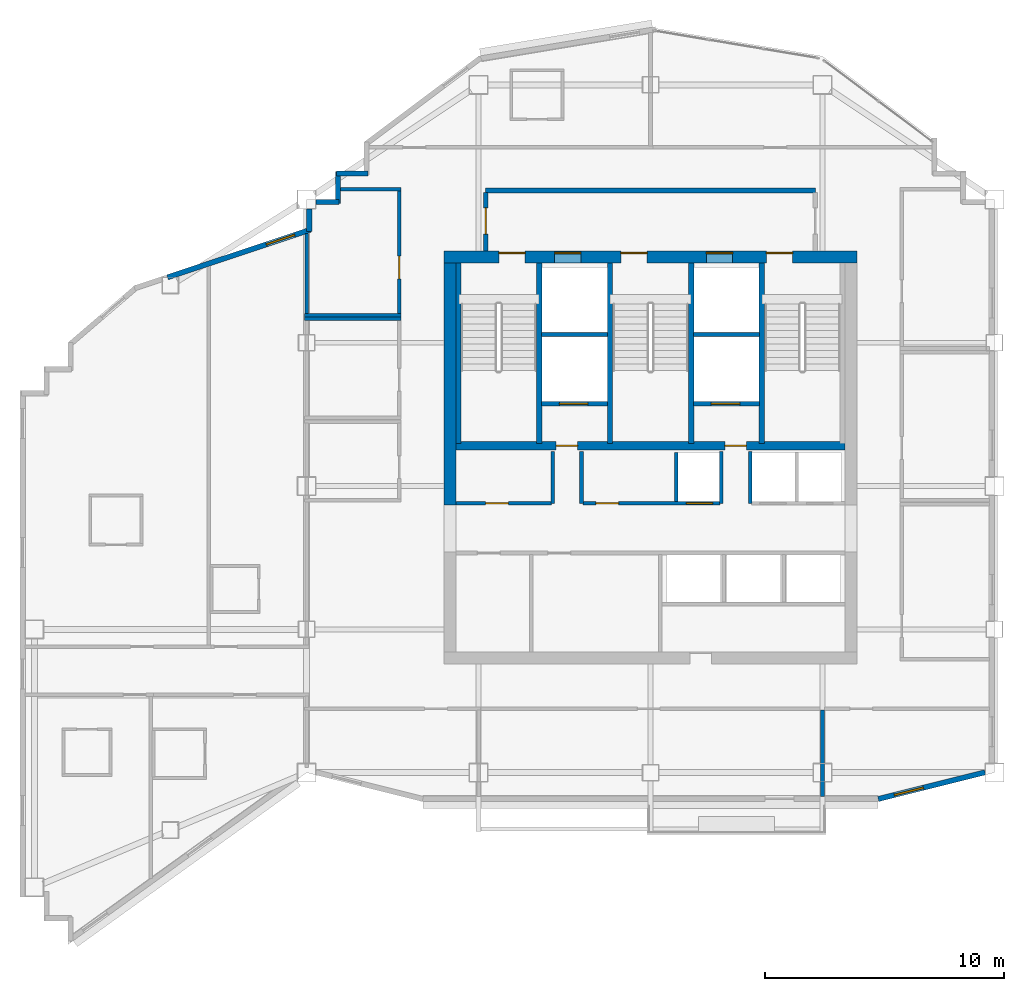
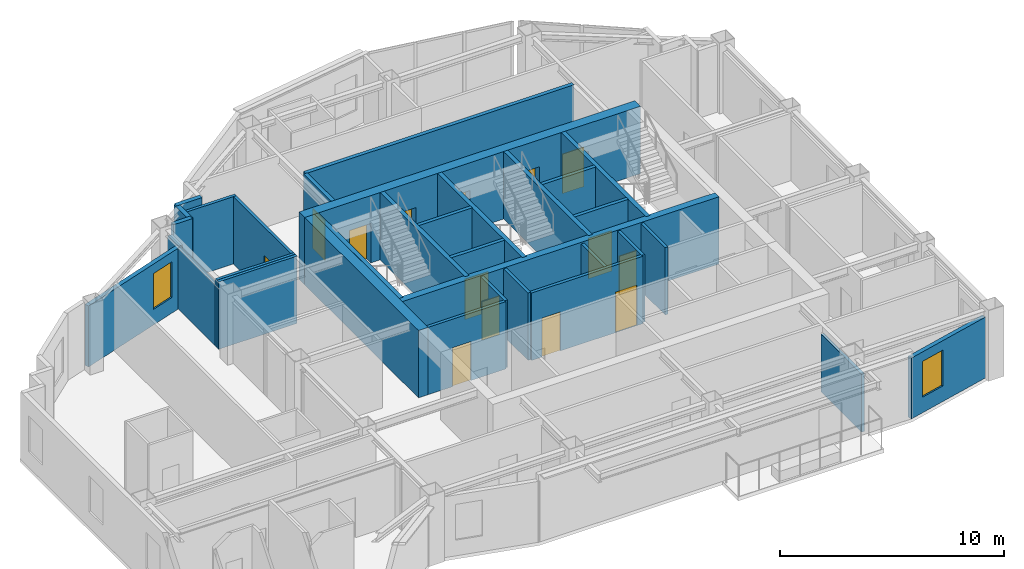
# One storey, part 6 of 10: 33 walls, 14 doors, 2 windows, 16 openings.
"""IFC4 building model written with IfcOpenShell, lengths in metres."""

from ifc_helpers import new_model, si_unit, direction, frame, frame_2d, origin, place, context, subcontext, project, spatial, rectangle, extrude, material, layer, layer_set, type_object, element, fill, save


model = new_model("IFC4")

# Units and contexts
model_context = context("Model", 3, precision=1e-05, world=origin(), true_north=direction((0.0, 1.0)))
body_context = subcontext(model_context, "Body", "Model", "MODEL_VIEW")
ifc_project = project(units=[si_unit("LENGTHUNIT", "METRE"), si_unit("AREAUNIT", "SQUARE_METRE"), si_unit("VOLUMEUNIT", "CUBIC_METRE"), si_unit("PLANEANGLEUNIT", "RADIAN"), si_unit("MASSUNIT", "GRAM", prefix="KILO")], contexts=[model_context])

# Site, building, storey
site_placement = place(None, origin())
site = spatial("IfcSite", under=ifc_project, at=site_placement, CompositionType="ELEMENT")
building_placement = place(site_placement, origin())
building = spatial("IfcBuilding", under=site, at=building_placement, Name="Haolan Belvedere Tower", CompositionType="ELEMENT")
storey_placement = place(building_placement, frame((0.0, 0.0, 246.75)))
storey = spatial("IfcBuildingStorey", under=building, at=storey_placement, Name="L62", CompositionType="ELEMENT", Elevation=246.75)

# Wall, openings, doors
ifc_material_1 = material(Name="Concrete C50/60", Category="concrete")
ifc_layer_1 = layer(ifc_material_1, 0.5, Name="Concrete C50/60")
ifc_layer_set_1 = layer_set([ifc_layer_1], Name="Concrete C50/60")
wall_type_1 = type_object("IfcWallType", Name="WL-CORE-500", PredefinedType="SHEAR", material=ifc_layer_set_1)
wall_1_placement = place(storey_placement, frame((29.75, 43.199951171875, 0.0), z_axis=(0.0, 0.0, 1.0), x_axis=(1.0, 0.0, 0.0)))
wall_1 = element("IfcWall", 1, at=wall_1_placement, inside=storey, type_object=wall_type_1, Name="L62 central core north shear wall", PredefinedType="SHEAR", context=body_context, shape_type="SweptSolid", body=[
    extrude(rectangle(XDim=17.300048828125, YDim=0.5, at=frame_2d((8.64990234375, 0.0))), origin(), (0.0, 0.0, 1.0), 3.669921875),
])
opening_1_placement = place(wall_1_placement, frame((2.300048828125, 0.0, 0.0)))
opening_1 = element("IfcOpeningElement", 2, at=opening_1_placement, cuts=wall_1, Name="Opening FD-03", PredefinedType="OPENING", context=body_context, shape_type="SweptSolid", body=[
    extrude(rectangle(XDim=1.10009765625, YDim=2.14990234375, at=frame_2d((0.550048828125, 1.074951171875))), frame((0.0, 0.260009765625, 0.0), z_axis=(0.0, -1.0, 0.0), x_axis=(1.0, 0.0, 0.0)), (0.0, 0.0, 1.0), 0.52001953125),
])
opening_2_placement = place(wall_1_placement, frame((7.409912109375, 0.0, 0.0)))
opening_2 = element("IfcOpeningElement", 3, at=opening_2_placement, cuts=wall_1, Name="Opening FD-03", PredefinedType="OPENING", context=body_context, shape_type="SweptSolid", body=[
    extrude(rectangle(XDim=1.10009765625, YDim=2.14990234375, at=frame_2d((0.550048828125, 1.074951171875))), frame((0.0, 0.260009765625, 0.0), z_axis=(0.0, -1.0, 0.0), x_axis=(1.0, 0.0, 0.0)), (0.0, 0.0, 1.0), 0.52001953125),
])
opening_3_placement = place(wall_1_placement, frame((13.5, 0.0, 0.0)))
opening_3 = element("IfcOpeningElement", 4, at=opening_3_placement, cuts=wall_1, Name="Opening FD-03", PredefinedType="OPENING", context=body_context, shape_type="SweptSolid", body=[
    extrude(rectangle(XDim=1.10009765625, YDim=2.14990234375, at=frame_2d((0.550048828125, 1.074951171875))), frame((0.0, 0.260009765625, 0.0), z_axis=(0.0, -1.0, 0.0), x_axis=(1.0, 0.0, 0.0)), (0.0, 0.0, 1.0), 0.52001953125),
])
opening_4_placement = place(wall_1_placement, frame((4.6298828125, 0.0, 0.0)))
opening_4 = element("IfcOpeningElement", 5, at=opening_4_placement, cuts=wall_1, Name="Opening LD-01", PredefinedType="OPENING", context=body_context, shape_type="SweptSolid", body=[
    extrude(rectangle(XDim=1.10009765625, YDim=2.199951171875, at=frame_2d((0.550048828125, 1.10009765625))), frame((0.0, 0.260009765625, 0.0), z_axis=(0.0, -1.0, 0.0), x_axis=(1.0, 0.0, 0.0)), (0.0, 0.0, 1.0), 0.52001953125),
])
opening_5_placement = place(wall_1_placement, frame((10.989990234375, 0.0, 0.0)))
opening_5 = element("IfcOpeningElement", 6, at=opening_5_placement, cuts=wall_1, Name="Opening LD-01", PredefinedType="OPENING", context=body_context, shape_type="SweptSolid", body=[
    extrude(rectangle(XDim=1.10009765625, YDim=2.199951171875, at=frame_2d((0.550048828125, 1.10009765625))), frame((0.0, 0.260009765625, 0.0), z_axis=(0.0, -1.0, 0.0), x_axis=(1.0, 0.0, 0.0)), (0.0, 0.0, 1.0), 0.52001953125),
])
ifc_material_2 = material(Name="Galvanised fire-rated steel", Category="steel")
door_type_1 = type_object("IfcDoorType", Name="DR-FD90-1100", OperationType="NOTDEFINED", PredefinedType="DOOR", material=ifc_material_2)
door_1_placement = place(opening_1_placement, origin())
door_1 = element("IfcDoor", 7, at=door_1_placement, inside=storey, type_object=door_type_1, Name="L62 door CD-L62-ST1", OperationType="SINGLE_SWING_LEFT", OverallHeight=2.14990234375, OverallWidth=1.10009765625, PredefinedType="DOOR", context=body_context, shape_type="SweptSolid", body=[
    extrude(rectangle(XDim=1.10009765625, YDim=2.14990234375, at=frame_2d((0.550048828125, 1.074951171875))), frame((0.0, 0.18505859375, 0.0), z_axis=(0.0, -1.0, 0.0), x_axis=(1.0, 0.0, 0.0)), (0.0, 0.0, 1.0), 0.050048828125),
])
fill(opening_1, door_1)
door_2_placement = place(opening_2_placement, origin())
door_2 = element("IfcDoor", 8, at=door_2_placement, inside=storey, type_object=door_type_1, Name="L62 door CD-L62-ST3", OperationType="SINGLE_SWING_LEFT", OverallHeight=2.14990234375, OverallWidth=1.10009765625, PredefinedType="DOOR", context=body_context, shape_type="SweptSolid", body=[
    extrude(rectangle(XDim=1.10009765625, YDim=2.14990234375, at=frame_2d((0.550048828125, 1.074951171875))), frame((0.0, 0.18505859375, 0.0), z_axis=(0.0, -1.0, 0.0), x_axis=(1.0, 0.0, 0.0)), (0.0, 0.0, 1.0), 0.050048828125),
])
fill(opening_2, door_2)
door_3_placement = place(opening_3_placement, origin())
door_3 = element("IfcDoor", 9, at=door_3_placement, inside=storey, type_object=door_type_1, Name="L62 door CD-L62-ST2", OperationType="SINGLE_SWING_RIGHT", OverallHeight=2.14990234375, OverallWidth=1.10009765625, PredefinedType="DOOR", context=body_context, shape_type="SweptSolid", body=[
    extrude(rectangle(XDim=1.10009765625, YDim=2.14990234375, at=frame_2d((0.550048828125, 1.074951171875))), frame((0.0, 0.18505859375, 0.0), z_axis=(0.0, -1.0, 0.0), x_axis=(1.0, 0.0, 0.0)), (0.0, 0.0, 1.0), 0.050048828125),
])
fill(opening_3, door_3)
ifc_material_3 = material(Name="Brushed champagne stainless steel 316L", Category="steel")
door_type_2 = type_object("IfcDoorType", Name="DR-LIFT-1100", OperationType="SLIDING_TO_LEFT", PredefinedType="DOOR", material=ifc_material_3)
door_4_placement = place(opening_4_placement, origin())
door_4 = element("IfcDoor", 10, at=door_4_placement, inside=storey, type_object=door_type_2, Name="L62 door LD-L62-FF1", OperationType="SLIDING_TO_LEFT", OverallHeight=2.199951171875, OverallWidth=1.10009765625, PredefinedType="DOOR", context=body_context, shape_type="SweptSolid", body=[
    extrude(rectangle(XDim=1.10009765625, YDim=2.199951171875, at=frame_2d((0.550048828125, 1.10009765625))), frame((0.0, 0.18505859375, 0.0), z_axis=(0.0, -1.0, 0.0), x_axis=(1.0, 0.0, 0.0)), (0.0, 0.0, 1.0), 0.050048828125),
])
fill(opening_4, door_4)
door_5_placement = place(opening_5_placement, origin())
door_5 = element("IfcDoor", 11, at=door_5_placement, inside=storey, type_object=door_type_2, Name="L62 door LD-L62-FF2", OperationType="SLIDING_TO_LEFT", OverallHeight=2.199951171875, OverallWidth=1.10009765625, PredefinedType="DOOR", context=body_context, shape_type="SweptSolid", body=[
    extrude(rectangle(XDim=1.10009765625, YDim=2.199951171875, at=frame_2d((0.550048828125, 1.10009765625))), frame((0.0, 0.18505859375, 0.0), z_axis=(0.0, -1.0, 0.0), x_axis=(1.0, 0.0, 0.0)), (0.0, 0.0, 1.0), 0.050048828125),
])
fill(opening_5, door_5)

# Wall
wall_2_placement = place(storey_placement, frame((30.0, 32.800048828125, 0.0), z_axis=(0.0, 0.0, 1.0), x_axis=(0.0, 1.0, 0.0)))
element("IfcWall", 12, at=wall_2_placement, inside=storey, type_object=wall_type_1, Name="L62 central core shear wall WN", PredefinedType="SHEAR", context=body_context, shape_type="SweptSolid", body=[
    extrude(rectangle(XDim=10.14990234375, YDim=0.5, at=frame_2d((5.074951171875, 0.0))), origin(), (0.0, 0.0, 1.0), 3.669921875),
])

# Wall, opening, window
ifc_material_4 = material(Name="Precast concrete C40/50", Category="concrete")
ifc_layer_2 = layer(ifc_material_4, 0.219970703125, Name="Precast concrete C40/50")
ifc_layer_set_2 = layer_set([ifc_layer_2], Name="Precast concrete C40/50")
wall_type_2 = type_object("IfcWallType", Name="WL-EXT-220", PredefinedType="SOLIDWALL", material=ifc_layer_set_2)
wall_3_placement = place(storey_placement, frame((47.93310546875, 20.49658203125, 0.0), z_axis=(0.0, 0.0, 1.0), x_axis=(0.970133159038, 0.242572986408, 0.0)))
wall_3 = element("IfcWall", 13, at=wall_3_placement, inside=storey, type_object=wall_type_2, Name="L62 pale-metal exterior spandrel wall 2.1", PredefinedType="SOLIDWALL", context=body_context, shape_type="SweptSolid", body=[
    extrude(rectangle(XDim=4.612548828125, YDim=0.219970703125, at=frame_2d((2.30615234375, 0.0))), origin(), (0.0, 0.0, 1.0), 3.31494140625),
])
opening_6_placement = place(wall_3_placement, frame((0.699951171875, 0.0, 0.85009765625)))
opening_6 = element("IfcOpeningElement", 14, at=opening_6_placement, cuts=wall_3, Name="Opening W-04", PredefinedType="OPENING", context=body_context, shape_type="SweptSolid", body=[
    extrude(rectangle(XDim=1.25, YDim=1.949951171875, at=frame_2d((0.625, 0.97509765625))), frame((0.0, 0.119873046875, 0.0), z_axis=(0.0, -1.0, 0.0), x_axis=(1.0, 0.0, 0.0)), (0.0, 0.0, 1.0), 0.239990234375),
])
ifc_material_5 = material(Name="Anodised aluminium 6063-T6 and Low-E glass", Category="aluminium")
window_type = type_object("IfcWindowType", Name="WN-DECO-Z4", PartitioningType="SINGLE_PANEL", PredefinedType="WINDOW", material=ifc_material_5)
window_1_placement = place(opening_6_placement, origin())
window_1 = element("IfcWindow", 15, at=window_1_placement, inside=storey, type_object=window_type, Name="L62 Art Deco chevron window 1", OverallHeight=1.949951171875, OverallWidth=1.25, PartitioningType="SINGLE_PANEL", PredefinedType="WINDOW", context=body_context, shape_type="SweptSolid", body=[
    extrude(rectangle(XDim=1.25, YDim=1.949951171875, at=frame_2d((0.625, 0.97509765625))), frame((0.0, 0.030029296875, 0.0), z_axis=(0.0, -1.0, 0.0), x_axis=(1.0, 0.0, 0.0)), (0.0, 0.0, 1.0), 0.06005859375),
])
fill(opening_6, window_1)

# Walls
for number, where, z_axis, x_axis, name in (
    (16, (26.56494140625, 46.68994140625, 0.0), (0.0, 0.0, 1.0), (-1.0, 0.0, 0.0), "L62 pale-metal exterior spandrel wall 13.1"),
    (17, (25.31005859375, 46.7451171875, 0.0), (0.0, 0.0, 1.0), (0.0, -1.0, 0.0), "L62 pale-metal exterior spandrel wall 14.1"),
):
    element("IfcWall", number, at=place(storey_placement, frame(where, z_axis=z_axis, x_axis=x_axis)), inside=storey, type_object=wall_type_2, Name=name, PredefinedType="SOLIDWALL", context=body_context, shape_type="SweptSolid", body=[
        extrude(rectangle(XDim=1.31005859375, YDim=0.219970703125, at=frame_2d((0.655029296875, 0.0))), origin(), (0.0, 0.0, 1.0), 3.669921875),
    ])
wall_4_placement = place(storey_placement, frame((25.364990234375, 45.489990234375, 0.0), z_axis=(0.0, 0.0, 1.0), x_axis=(-1.0, 0.0, 0.0)))
element("IfcWall", 18, at=wall_4_placement, inside=storey, type_object=wall_type_2, Name="L62 pale-metal exterior spandrel wall 15.1", PredefinedType="SOLIDWALL", context=body_context, shape_type="SweptSolid", body=[
    extrude(rectangle(XDim=0.972900390625, YDim=0.219970703125, at=frame_2d((0.486328125, 0.0))), origin(), (0.0, 0.0, 1.0), 3.669921875),
])
wall_5_placement = place(storey_placement, frame((24.110107421875, 45.2080078125, 0.0), z_axis=(0.0, 0.0, 1.0), x_axis=(0.0, -1.0, 0.0)))
element("IfcWall", 19, at=wall_5_placement, inside=storey, type_object=wall_type_2, Name="L62 pale-metal exterior spandrel wall 16.1", PredefinedType="SOLIDWALL", context=body_context, shape_type="SweptSolid", body=[
    extrude(rectangle(XDim=0.9423828125, YDim=0.219970703125, at=frame_2d((0.47119140625, 0.0))), origin(), (0.0, 0.0, 1.0), 3.31494140625),
])

# Wall, opening, window
wall_6_placement = place(storey_placement, frame((24.162109375, 44.338134765625, 0.0), z_axis=(0.0, 0.0, 1.0), x_axis=(-0.948687165594, -0.31621616315, 0.0)))
wall_6 = element("IfcWall", 20, at=wall_6_placement, inside=storey, type_object=wall_type_2, Name="L62 pale-metal exterior spandrel wall 17.1", PredefinedType="SOLIDWALL", context=body_context, shape_type="SweptSolid", body=[
    extrude(rectangle(XDim=6.3125, YDim=0.219970703125, at=frame_2d((3.15625, 0.0))), origin(), (0.0, 0.0, 1.0), 3.31494140625),
])
opening_7_placement = place(wall_6_placement, frame((0.699951171875, 0.0, 0.85009765625)))
opening_7 = element("IfcOpeningElement", 21, at=opening_7_placement, cuts=wall_6, Name="Opening W-04", PredefinedType="OPENING", context=body_context, shape_type="SweptSolid", body=[
    extrude(rectangle(XDim=1.25, YDim=1.949951171875, at=frame_2d((0.625, 0.97509765625))), frame((0.0, 0.119873046875, 0.0), z_axis=(0.0, -1.0, 0.0), x_axis=(1.0, 0.0, 0.0)), (0.0, 0.0, 1.0), 0.239990234375),
])
window_2_placement = place(opening_7_placement, origin())
window_2 = element("IfcWindow", 22, at=window_2_placement, inside=storey, type_object=window_type, Name="L62 Art Deco chevron window 1", OverallHeight=1.949951171875, OverallWidth=1.25, PartitioningType="SINGLE_PANEL", PredefinedType="WINDOW", context=body_context, shape_type="SweptSolid", body=[
    extrude(rectangle(XDim=1.25, YDim=1.949951171875, at=frame_2d((0.625, 0.97509765625))), frame((0.0, 0.030029296875, 0.0), z_axis=(0.0, -1.0, 0.0), x_axis=(1.0, 0.0, 0.0)), (0.0, 0.0, 1.0), 0.06005859375),
])
fill(opening_7, window_2)

# Wall
ifc_material_6 = material(Name="Concrete C40/50", Category="concrete")
ifc_layer_3 = layer(ifc_material_6, 0.199951171875, Name="Concrete C40/50")
ifc_layer_set_3 = layer_set([ifc_layer_3], Name="Concrete C40/50")
wall_type_3 = type_object("IfcWallType", Name="WL-FIRE-200", PredefinedType="SOLIDWALL", material=ifc_layer_set_3)
wall_7_placement = place(storey_placement, frame((31.5, 45.97998046875, 0.0), z_axis=(0.0, 0.0, 1.0), x_axis=(1.0, 0.0, 0.0)))
element("IfcWall", 23, at=wall_7_placement, inside=storey, type_object=wall_type_3, Name="L62 interior partition IW-L62-FFL-N", PredefinedType="SOLIDWALL", context=body_context, shape_type="SweptSolid", body=[
    extrude(rectangle(XDim=13.800048828125, YDim=0.199951171875, at=frame_2d((6.89990234375, 0.0))), origin(), (0.0, 0.0, 1.0), 3.669921875),
])

# Wall, opening, door
wall_8_placement = place(storey_placement, frame((31.5, 43.449951171875, 0.0), z_axis=(0.0, 0.0, 1.0), x_axis=(0.0, 1.0, 0.0)))
wall_8 = element("IfcWall", 24, at=wall_8_placement, inside=storey, type_object=wall_type_3, Name="L62 interior partition IW-L62-FFL-W", PredefinedType="SOLIDWALL", context=body_context, shape_type="SweptSolid", body=[
    extrude(rectangle(XDim=2.445068359375, YDim=0.199951171875, at=frame_2d((1.22265625, 0.0))), origin(), (0.0, 0.0, 1.0), 3.669921875),
])
opening_8_placement = place(wall_8_placement, frame((1.800048828125, 0.0, 0.0), z_axis=(0.0, 0.0, 1.0), x_axis=(-1.0, 0.0, 0.0)))
opening_8 = element("IfcOpeningElement", 25, at=opening_8_placement, cuts=wall_8, Name="Opening FD-03", PredefinedType="OPENING", context=body_context, shape_type="SweptSolid", body=[
    extrude(rectangle(XDim=1.10009765625, YDim=2.14990234375, at=frame_2d((0.550048828125, 1.074951171875))), frame((0.0, 0.10986328125, 0.0), z_axis=(0.0, -1.0, 0.0), x_axis=(1.0, 0.0, 0.0)), (0.0, 0.0, 1.0), 0.219970703125),
])
door_6_placement = place(opening_8_placement, origin())
door_6 = element("IfcDoor", 26, at=door_6_placement, inside=storey, type_object=door_type_1, Name="L62 door ID-L62-FFL-DW", OperationType="SINGLE_SWING_LEFT", OverallHeight=2.14990234375, OverallWidth=1.10009765625, PredefinedType="DOOR", context=body_context, shape_type="SweptSolid", body=[
    extrude(rectangle(XDim=1.10009765625, YDim=2.14990234375, at=frame_2d((0.550048828125, 1.074951171875))), frame((0.0, 0.02490234375, 0.0), z_axis=(0.0, -1.0, 0.0), x_axis=(1.0, 0.0, 0.0)), (0.0, 0.0, 1.0), 0.050048828125),
])
fill(opening_8, door_6)

# Walls
ifc_material_7 = material(Name="Double gypsum acoustic stud partition", Category="masonry")
ifc_layer_4 = layer(ifc_material_7, 0.14990234375, Name="Double gypsum acoustic stud partition")
ifc_layer_set_4 = layer_set([ifc_layer_4], Name="Double gypsum acoustic stud partition")
wall_type_4 = type_object("IfcWallType", Name="WL-PART-150", PredefinedType="PARTITIONING", material=ifc_layer_set_4)
wall_9_placement = place(storey_placement, frame((23.919921875, 40.60009765625, 0.0), z_axis=(0.0, 0.0, 1.0), x_axis=(1.0, 0.0, 0.0)))
element("IfcWall", 27, at=wall_9_placement, inside=storey, type_object=wall_type_4, Name="L62 interior partition IW-L62-PNT-N", PredefinedType="PARTITIONING", context=body_context, shape_type="SweptSolid", body=[
    extrude(rectangle(XDim=4.0400390625, YDim=0.14990234375, at=frame_2d((2.02001953125, 0.0))), origin(), (0.0, 0.0, 1.0), 3.669921875),
])
wall_10_placement = place(storey_placement, frame((25.412109375, 46.02001953125, 0.0), z_axis=(0.0, 0.0, 1.0), x_axis=(1.0, 0.0, 0.0)))
element("IfcWall", 28, at=wall_10_placement, inside=storey, type_object=wall_type_4, Name="L62 interior partition IW-L62-STY-N", PredefinedType="PARTITIONING", context=body_context, shape_type="SweptSolid", body=[
    extrude(rectangle(XDim=2.5478515625, YDim=0.14990234375, at=frame_2d((1.27392578125, 0.0))), origin(), (0.0, 0.0, 1.0), 3.669921875),
])
wall_11_placement = place(storey_placement, frame((23.919921875, 40.760009765625, 0.0), z_axis=(0.0, 0.0, 1.0), x_axis=(1.0, 0.0, 0.0)))
element("IfcWall", 29, at=wall_11_placement, inside=storey, type_object=wall_type_4, Name="L62 interior partition IW-L62-STY-S", PredefinedType="PARTITIONING", context=body_context, shape_type="SweptSolid", body=[
    extrude(rectangle(XDim=4.0400390625, YDim=0.14990234375, at=frame_2d((2.02001953125, 0.0))), origin(), (0.0, 0.0, 1.0), 3.669921875),
])
wall_12_placement = place(storey_placement, frame((24.0, 40.820068359375, 0.0), z_axis=(0.0, 0.0, 1.0), x_axis=(0.0, 1.0, 0.0)))
element("IfcWall", 30, at=wall_12_placement, inside=storey, type_object=wall_type_4, Name="L62 interior partition IW-L62-STY-W", PredefinedType="PARTITIONING", context=body_context, shape_type="SweptSolid", body=[
    extrude(rectangle(XDim=3.3564453125, YDim=0.14990234375, at=frame_2d((1.67822265625, 0.0))), origin(), (0.0, 0.0, 1.0), 3.31494140625),
])

# Wall, opening, door
wall_13_placement = place(storey_placement, frame((27.8798828125, 40.820068359375, 0.0), z_axis=(0.0, 0.0, 1.0), x_axis=(0.0, 1.0, 0.0)))
wall_13 = element("IfcWall", 31, at=wall_13_placement, inside=storey, type_object=wall_type_4, Name="L62 interior partition IW-L62-STY-E", PredefinedType="PARTITIONING", context=body_context, shape_type="SweptSolid", body=[
    extrude(rectangle(XDim=5.139892578125, YDim=0.14990234375, at=frame_2d((2.56982421875, 0.0))), origin(), (0.0, 0.0, 1.0), 3.669921875),
])
opening_9_placement = place(wall_13_placement, frame((2.409912109375, 0.0, 0.0), z_axis=(0.0, 0.0, 1.0), x_axis=(-1.0, 0.0, 0.0)))
opening_9 = element("IfcOpeningElement", 32, at=opening_9_placement, cuts=wall_13, Name="Opening ID-03", PredefinedType="OPENING", context=body_context, shape_type="SweptSolid", body=[
    extrude(rectangle(XDim=0.949951171875, YDim=2.1201171875, at=frame_2d((0.47509765625, 1.06005859375))), frame((0.0, 0.0849609375, 0.0), z_axis=(0.0, -1.0, 0.0), x_axis=(1.0, 0.0, 0.0)), (0.0, 0.0, 1.0), 0.169921875),
])
ifc_material_8 = material(Name="Painted solid-core timber", Category="wood")
door_type_3 = type_object("IfcDoorType", Name="DR-INT-950", OperationType="NOTDEFINED", PredefinedType="DOOR", material=ifc_material_8)
door_7_placement = place(opening_9_placement, origin())
door_7 = element("IfcDoor", 33, at=door_7_placement, inside=storey, type_object=door_type_3, Name="L62 door ID-L62-STY", OperationType="SINGLE_SWING_LEFT", OverallHeight=2.1201171875, OverallWidth=0.949951171875, PredefinedType="DOOR", context=body_context, shape_type="SweptSolid", body=[
    extrude(rectangle(XDim=0.949951171875, YDim=2.1201171875, at=frame_2d((0.47509765625, 1.06005859375))), frame((0.0, 0.02490234375, 0.0), z_axis=(0.0, -1.0, 0.0), x_axis=(1.0, 0.0, 0.0)), (0.0, 0.0, 1.0), 0.050048828125),
])
fill(opening_9, door_7)

# Walls
wall_14_placement = place(storey_placement, frame((45.60009765625, 20.612060546875, 0.0), z_axis=(0.0, 0.0, 1.0), x_axis=(0.0, 1.0, 0.0)))
element("IfcWall", 34, at=wall_14_placement, inside=storey, type_object=wall_type_4, Name="L62 interior partition IW-L62-KS2-E", PredefinedType="PARTITIONING", context=body_context, shape_type="SweptSolid", body=[
    extrude(rectangle(XDim=3.60791015625, YDim=0.14990234375, at=frame_2d((1.803955078125, 0.0))), origin(), (0.0, 0.0, 1.0), 3.155029296875),
])
ifc_material_9 = material(Name="Gypsum fire shaftwall assembly", Category="masonry")
ifc_layer_5 = layer(ifc_material_9, 0.1650390625, Name="Gypsum fire shaftwall assembly")
ifc_layer_set_5 = layer_set([ifc_layer_5], Name="Gypsum fire shaftwall assembly")
wall_type_5 = type_object("IfcWallType", Name="WL-SHAFT-160", PredefinedType="SOLIDWALL", material=ifc_layer_set_5)
for number, where, z_axis, x_axis, name in (
    (35, (34.31005859375, 32.8798828125, 0.0), (0.0, 0.0, 1.0), (0.0, 1.0, 0.0), "L62 interior partition IW-L62-SVP-W-SV1"),
    (36, (35.510009765625, 32.8798828125, 0.0), (0.0, 0.0, 1.0), (0.0, 1.0, 0.0), "L62 interior partition IW-L62-SVP-E-SV1"),
    (37, (41.3701171875, 32.8798828125, 0.0), (0.0, 0.0, 1.0), (0.0, 1.0, 0.0), "L62 interior partition IW-L62-SVP-W-SV2"),
    (38, (42.570068359375, 32.8798828125, 0.0), (0.0, 0.0, 1.0), (0.0, 1.0, 0.0), "L62 interior partition IW-L62-SVP-E-SV2"),
):
    element("IfcWall", number, at=place(storey_placement, frame(where, z_axis=z_axis, x_axis=x_axis)), inside=storey, type_object=wall_type_5, Name=name, PredefinedType="SOLIDWALL", context=body_context, shape_type="SweptSolid", body=[
        extrude(rectangle(XDim=2.170166015625, YDim=0.14990234375, at=frame_2d((1.0849609375, 0.0))), origin(), (0.0, 0.0, 1.0), 3.669921875),
    ])

# Wall, opening, door
wall_15_placement = place(storey_placement, frame((30.25, 32.8798828125, 0.0), z_axis=(0.0, 0.0, 1.0), x_axis=(1.0, 0.0, 0.0)))
wall_15 = element("IfcWall", 39, at=wall_15_placement, inside=storey, type_object=wall_type_5, Name="L62 interior partition IW-L62-ROW-PN1", PredefinedType="SOLIDWALL", context=body_context, shape_type="SweptSolid", body=[
    extrude(rectangle(XDim=4.0, YDim=0.159912109375, at=frame_2d((2.0, 0.0))), origin(), (0.0, 0.0, 1.0), 3.669921875),
])
opening_10_placement = place(wall_15_placement, frame((2.199951171875, 0.0, 0.0), z_axis=(0.0, 0.0, 1.0), x_axis=(-1.0, 0.0, 0.0)))
opening_10 = element("IfcOpeningElement", 40, at=opening_10_placement, cuts=wall_15, Name="Opening ID-03", PredefinedType="OPENING", context=body_context, shape_type="SweptSolid", body=[
    extrude(rectangle(XDim=0.949951171875, YDim=2.1201171875, at=frame_2d((0.47509765625, 1.06005859375))), frame((0.0, 0.08984375, 0.0), z_axis=(0.0, -1.0, 0.0), x_axis=(1.0, 0.0, 0.0)), (0.0, 0.0, 1.0), 0.179931640625),
])
door_8_placement = place(opening_10_placement, origin())
door_8 = element("IfcDoor", 41, at=door_8_placement, inside=storey, type_object=door_type_3, Name="L62 door ID-L62-CD-RPLW", OperationType="SINGLE_SWING_LEFT", OverallHeight=2.1201171875, OverallWidth=0.949951171875, PredefinedType="DOOR", context=body_context, shape_type="SweptSolid", body=[
    extrude(rectangle(XDim=0.949951171875, YDim=2.1201171875, at=frame_2d((0.47509765625, 1.06005859375))), frame((0.0, 0.02490234375, 0.0), z_axis=(0.0, -1.0, 0.0), x_axis=(1.0, 0.0, 0.0)), (0.0, 0.0, 1.0), 0.050048828125),
])
fill(opening_10, door_8)

# Wall, openings, doors
wall_16_placement = place(storey_placement, frame((35.570068359375, 32.8798828125, 0.0), z_axis=(0.0, 0.0, 1.0), x_axis=(1.0, 0.0, 0.0)))
wall_16 = element("IfcWall", 42, at=wall_16_placement, inside=storey, type_object=wall_type_5, Name="L62 interior partition IW-L62-ROW-PN2", PredefinedType="SOLIDWALL", context=body_context, shape_type="SweptSolid", body=[
    extrude(rectangle(XDim=5.739990234375, YDim=0.159912109375, at=frame_2d((2.8701171875, 0.0))), origin(), (0.0, 0.0, 1.0), 3.669921875),
])
opening_11_placement = place(wall_16_placement, frame((1.489990234375, 0.0, 0.0), z_axis=(0.0, 0.0, 1.0), x_axis=(-1.0, 0.0, 0.0)))
opening_11 = element("IfcOpeningElement", 43, at=opening_11_placement, cuts=wall_16, Name="Opening ID-03", PredefinedType="OPENING", context=body_context, shape_type="SweptSolid", body=[
    extrude(rectangle(XDim=0.949951171875, YDim=2.1201171875, at=frame_2d((0.47509765625, 1.06005859375))), frame((0.0, 0.08984375, 0.0), z_axis=(0.0, -1.0, 0.0), x_axis=(1.0, 0.0, 0.0)), (0.0, 0.0, 1.0), 0.179931640625),
])
opening_12_placement = place(wall_16_placement, frame((5.43017578125, 0.0, 0.0), z_axis=(0.0, 0.0, 1.0), x_axis=(-1.0, 0.0, 0.0)))
opening_12 = element("IfcOpeningElement", 44, at=opening_12_placement, cuts=wall_16, Name="Opening LD-01", PredefinedType="OPENING", context=body_context, shape_type="SweptSolid", body=[
    extrude(rectangle(XDim=1.10009765625, YDim=2.199951171875, at=frame_2d((0.550048828125, 1.10009765625))), frame((0.0, 0.08984375, 0.0), z_axis=(0.0, -1.0, 0.0), x_axis=(1.0, 0.0, 0.0)), (0.0, 0.0, 1.0), 0.179931640625),
])
door_9_placement = place(opening_11_placement, origin())
door_9 = element("IfcDoor", 45, at=door_9_placement, inside=storey, type_object=door_type_3, Name="L62 door ID-L62-CD-RPLE", OperationType="SINGLE_SWING_RIGHT", OverallHeight=2.1201171875, OverallWidth=0.949951171875, PredefinedType="DOOR", context=body_context, shape_type="SweptSolid", body=[
    extrude(rectangle(XDim=0.949951171875, YDim=2.1201171875, at=frame_2d((0.47509765625, 1.06005859375))), frame((0.0, 0.02490234375, 0.0), z_axis=(0.0, -1.0, 0.0), x_axis=(1.0, 0.0, 0.0)), (0.0, 0.0, 1.0), 0.050048828125),
])
fill(opening_11, door_9)
door_10_placement = place(opening_12_placement, origin())
door_10 = element("IfcDoor", 46, at=door_10_placement, inside=storey, type_object=door_type_2, Name="L62 door ID-L62-LD-PH1", OperationType="SLIDING_TO_RIGHT", OverallHeight=2.199951171875, OverallWidth=1.10009765625, PredefinedType="DOOR", context=body_context, shape_type="SweptSolid", body=[
    extrude(rectangle(XDim=1.10009765625, YDim=2.199951171875, at=frame_2d((0.550048828125, 1.10009765625))), frame((0.0, 0.02490234375, 0.0), z_axis=(0.0, -1.0, 0.0), x_axis=(1.0, 0.0, 0.0)), (0.0, 0.0, 1.0), 0.050048828125),
])
fill(opening_12, door_10)

# Walls
wall_17_placement = place(storey_placement, frame((39.469970703125, 32.949951171875, 0.0), z_axis=(0.0, 0.0, 1.0), x_axis=(0.0, 1.0, 0.0)))
element("IfcWall", 47, at=wall_17_placement, inside=storey, type_object=wall_type_5, Name="L62 interior partition IW-L62-DIV-PL4R", PredefinedType="SOLIDWALL", context=body_context, shape_type="SweptSolid", body=[
    extrude(rectangle(XDim=2.050048828125, YDim=0.14990234375, at=frame_2d((1.02490234375, 0.0))), origin(), (0.0, 0.0, 1.0), 3.669921875),
])
ifc_layer_6 = layer(ifc_material_4, 0.179931640625, Name="Precast concrete C40/50")
ifc_layer_set_6 = layer_set([ifc_layer_6], Name="Precast concrete C40/50")
wall_type_6 = type_object("IfcWallType", Name="WL-SHAFT-180", PredefinedType="SOLIDWALL", material=ifc_layer_set_6)
for number, where, z_axis, x_axis, name in (
    (48, (33.8349609375, 39.949951171875, 0.0), (0.0, 0.0, 1.0), (1.0, 0.0, 0.0), "L62 interior partition IW-L62-FF1-S"),
    (49, (40.195068359375, 39.949951171875, 0.0), (0.0, 0.0, 1.0), (1.0, 0.0, 0.0), "L62 interior partition IW-L62-FF2-S"),
):
    element("IfcWall", number, at=place(storey_placement, frame(where, z_axis=z_axis, x_axis=x_axis)), inside=storey, type_object=wall_type_6, Name=name, PredefinedType="SOLIDWALL", context=body_context, shape_type="SweptSolid", body=[
        extrude(rectangle(XDim=2.77001953125, YDim=0.179931640625, at=frame_2d((1.385009765625, 0.0))), origin(), (0.0, 0.0, 1.0), 3.669921875),
    ])

# Wall, opening, door
wall_18_placement = place(storey_placement, frame((33.8349609375, 37.050048828125, 0.0), z_axis=(0.0, 0.0, 1.0), x_axis=(1.0, 0.0, 0.0)))
wall_18 = element("IfcWall", 50, at=wall_18_placement, inside=storey, type_object=wall_type_6, Name="L62 interior partition IW-L62-SV1-S", PredefinedType="SOLIDWALL", context=body_context, shape_type="SweptSolid", body=[
    extrude(rectangle(XDim=2.77001953125, YDim=0.179931640625, at=frame_2d((1.385009765625, 0.0))), origin(), (0.0, 0.0, 1.0), 3.669921875),
])
opening_13_placement = place(wall_18_placement, frame((1.945068359375, 0.0, 0.0), z_axis=(0.0, 0.0, 1.0), x_axis=(-1.0, 0.0, 0.0)))
opening_13 = element("IfcOpeningElement", 51, at=opening_13_placement, cuts=wall_18, Name="Opening LD-02", PredefinedType="OPENING", context=body_context, shape_type="SweptSolid", body=[
    extrude(rectangle(XDim=1.199951171875, YDim=2.199951171875, at=frame_2d((0.60009765625, 1.10009765625))), frame((0.0, 0.099853515625, 0.0), z_axis=(0.0, -1.0, 0.0), x_axis=(1.0, 0.0, 0.0)), (0.0, 0.0, 1.0), 0.199951171875),
])
door_type_4 = type_object("IfcDoorType", Name="DR-LIFT-1200", OperationType="SLIDING_TO_RIGHT", PredefinedType="DOOR", material=ifc_material_3)
door_11_placement = place(opening_13_placement, origin())
door_11 = element("IfcDoor", 52, at=door_11_placement, inside=storey, type_object=door_type_4, Name="L62 door ID-L62-LD-SV1", OperationType="SLIDING_TO_RIGHT", OverallHeight=2.199951171875, OverallWidth=1.199951171875, PredefinedType="DOOR", context=body_context, shape_type="SweptSolid", body=[
    extrude(rectangle(XDim=1.199951171875, YDim=2.199951171875, at=frame_2d((0.60009765625, 1.10009765625))), frame((0.0, 0.02490234375, 0.0), z_axis=(0.0, -1.0, 0.0), x_axis=(1.0, 0.0, 0.0)), (0.0, 0.0, 1.0), 0.050048828125),
])
fill(opening_13, door_11)

wall_19_placement = place(storey_placement, frame((40.195068359375, 37.050048828125, 0.0), z_axis=(0.0, 0.0, 1.0), x_axis=(1.0, 0.0, 0.0)))
wall_19 = element("IfcWall", 53, at=wall_19_placement, inside=storey, type_object=wall_type_6, Name="L62 interior partition IW-L62-SV2-S", PredefinedType="SOLIDWALL", context=body_context, shape_type="SweptSolid", body=[
    extrude(rectangle(XDim=2.77001953125, YDim=0.179931640625, at=frame_2d((1.385009765625, 0.0))), origin(), (0.0, 0.0, 1.0), 3.669921875),
])
opening_14_placement = place(wall_19_placement, frame((1.945068359375, 0.0, 0.0), z_axis=(0.0, 0.0, 1.0), x_axis=(-1.0, 0.0, 0.0)))
opening_14 = element("IfcOpeningElement", 54, at=opening_14_placement, cuts=wall_19, Name="Opening LD-02", PredefinedType="OPENING", context=body_context, shape_type="SweptSolid", body=[
    extrude(rectangle(XDim=1.199951171875, YDim=2.199951171875, at=frame_2d((0.60009765625, 1.10009765625))), frame((0.0, 0.099853515625, 0.0), z_axis=(0.0, -1.0, 0.0), x_axis=(1.0, 0.0, 0.0)), (0.0, 0.0, 1.0), 0.199951171875),
])
door_12_placement = place(opening_14_placement, origin())
door_12 = element("IfcDoor", 55, at=door_12_placement, inside=storey, type_object=door_type_4, Name="L62 door ID-L62-LD-SV2", OperationType="SLIDING_TO_RIGHT", OverallHeight=2.199951171875, OverallWidth=1.199951171875, PredefinedType="DOOR", context=body_context, shape_type="SweptSolid", body=[
    extrude(rectangle(XDim=1.199951171875, YDim=2.199951171875, at=frame_2d((0.60009765625, 1.10009765625))), frame((0.0, 0.02490234375, 0.0), z_axis=(0.0, -1.0, 0.0), x_axis=(1.0, 0.0, 0.0)), (0.0, 0.0, 1.0), 0.050048828125),
])
fill(opening_14, door_12)

# Walls
ifc_layer_7 = layer(ifc_material_1, 0.219970703125, Name="Concrete C50/60")
ifc_layer_set_7 = layer_set([ifc_layer_7], Name="Concrete C50/60")
wall_type_7 = type_object("IfcWallType", Name="WL-STAIR-220", PredefinedType="SHEAR", material=ifc_layer_set_7)
for number, where, z_axis, x_axis, name in (
    (56, (30.362060546875, 35.389892578125, 0.0), (0.0, 0.0, 1.0), (0.0, 1.0, 0.0), "L62 structural stair core wall ST1W"),
    (57, (33.739990234375, 35.389892578125, 0.0), (0.0, 0.0, 1.0), (0.0, 1.0, 0.0), "L62 structural stair core wall ST1E"),
    (58, (36.699951171875, 35.389892578125, 0.0), (0.0, 0.0, 1.0), (0.0, 1.0, 0.0), "L62 structural stair core wall ST3W"),
    (59, (40.10009765625, 35.389892578125, 0.0), (0.0, 0.0, 1.0), (0.0, 1.0, 0.0), "L62 structural stair core wall ST3E"),
    (60, (43.06005859375, 35.389892578125, 0.0), (0.0, 0.0, 1.0), (0.0, 1.0, 0.0), "L62 structural stair core wall ST2W"),
):
    element("IfcWall", number, at=place(storey_placement, frame(where, z_axis=z_axis, x_axis=x_axis)), inside=storey, type_object=wall_type_7, Name=name, PredefinedType="SHEAR", context=body_context, shape_type="SweptSolid", body=[
        extrude(rectangle(XDim=7.56005859375, YDim=0.219970703125, at=frame_2d((3.780029296875, 0.0))), origin(), (0.0, 0.0, 1.0), 3.669921875),
    ])

# Wall, openings, doors
ifc_material_10 = material(Name="Concrete C60/75", Category="concrete")
ifc_layer_8 = layer(ifc_material_10, 0.360107421875, Name="Concrete C60/75")
ifc_layer_set_8 = layer_set([ifc_layer_8], Name="Concrete C60/75")
wall_type_8 = type_object("IfcWallType", Name="WL-WEB-350", PredefinedType="SHEAR", material=ifc_layer_set_8)
wall_20_placement = place(storey_placement, frame((30.25, 35.2900390625, 0.0), z_axis=(0.0, 0.0, 1.0), x_axis=(1.0, 0.0, 0.0)))
wall_20 = element("IfcWall", 61, at=wall_20_placement, inside=storey, type_object=wall_type_8, Name="L62 central core internal shear web", PredefinedType="SHEAR", context=body_context, shape_type="SweptSolid", body=[
    extrude(rectangle(XDim=16.300048828125, YDim=0.360107421875, at=frame_2d((8.14990234375, 0.0))), origin(), (0.0, 0.0, 1.0), 3.669921875),
])
opening_15_placement = place(wall_20_placement, frame((5.099853515625, 0.0, 0.0), z_axis=(0.0, 0.0, 1.0), x_axis=(-1.0, 0.0, 0.0)))
opening_15 = element("IfcOpeningElement", 62, at=opening_15_placement, cuts=wall_20, Name="Opening FD-05", PredefinedType="OPENING", context=body_context, shape_type="SweptSolid", body=[
    extrude(rectangle(XDim=0.89990234375, YDim=2.10009765625, at=frame_2d((0.449951171875, 1.050048828125))), frame((0.0, 0.18994140625, 0.0), z_axis=(0.0, -1.0, 0.0), x_axis=(1.0, 0.0, 0.0)), (0.0, 0.0, 1.0), 0.380126953125),
])
opening_16_placement = place(wall_20_placement, frame((12.159912109375, 0.0, 0.0), z_axis=(0.0, 0.0, 1.0), x_axis=(-1.0, 0.0, 0.0)))
opening_16 = element("IfcOpeningElement", 63, at=opening_16_placement, cuts=wall_20, Name="Opening FD-05", PredefinedType="OPENING", context=body_context, shape_type="SweptSolid", body=[
    extrude(rectangle(XDim=0.89990234375, YDim=2.10009765625, at=frame_2d((0.449951171875, 1.050048828125))), frame((0.0, 0.18994140625, 0.0), z_axis=(0.0, -1.0, 0.0), x_axis=(1.0, 0.0, 0.0)), (0.0, 0.0, 1.0), 0.380126953125),
])
door_type_5 = type_object("IfcDoorType", Name="DR-FD60-900", OperationType="NOTDEFINED", PredefinedType="DOOR", material=ifc_material_2)
door_13_placement = place(opening_15_placement, origin())
door_13 = element("IfcDoor", 64, at=door_13_placement, inside=storey, type_object=door_type_5, Name="L62 door CD-L62-SVL-SV1", OperationType="SINGLE_SWING_RIGHT", OverallHeight=2.10009765625, OverallWidth=0.89990234375, PredefinedType="DOOR", context=body_context, shape_type="SweptSolid", body=[
    extrude(rectangle(XDim=0.89990234375, YDim=2.10009765625, at=frame_2d((0.449951171875, 1.050048828125))), frame((0.0, 0.02490234375, 0.0), z_axis=(0.0, -1.0, 0.0), x_axis=(1.0, 0.0, 0.0)), (0.0, 0.0, 1.0), 0.050048828125),
])
fill(opening_15, door_13)
door_14_placement = place(opening_16_placement, origin())
door_14 = element("IfcDoor", 65, at=door_14_placement, inside=storey, type_object=door_type_5, Name="L62 door CD-L62-SVL-SV2", OperationType="SINGLE_SWING_RIGHT", OverallHeight=2.10009765625, OverallWidth=0.89990234375, PredefinedType="DOOR", context=body_context, shape_type="SweptSolid", body=[
    extrude(rectangle(XDim=0.89990234375, YDim=2.10009765625, at=frame_2d((0.449951171875, 1.050048828125))), frame((0.0, 0.02490234375, 0.0), z_axis=(0.0, -1.0, 0.0), x_axis=(1.0, 0.0, 0.0)), (0.0, 0.0, 1.0), 0.050048828125),
])
fill(opening_16, door_14)

save(model, "model.ifc")
